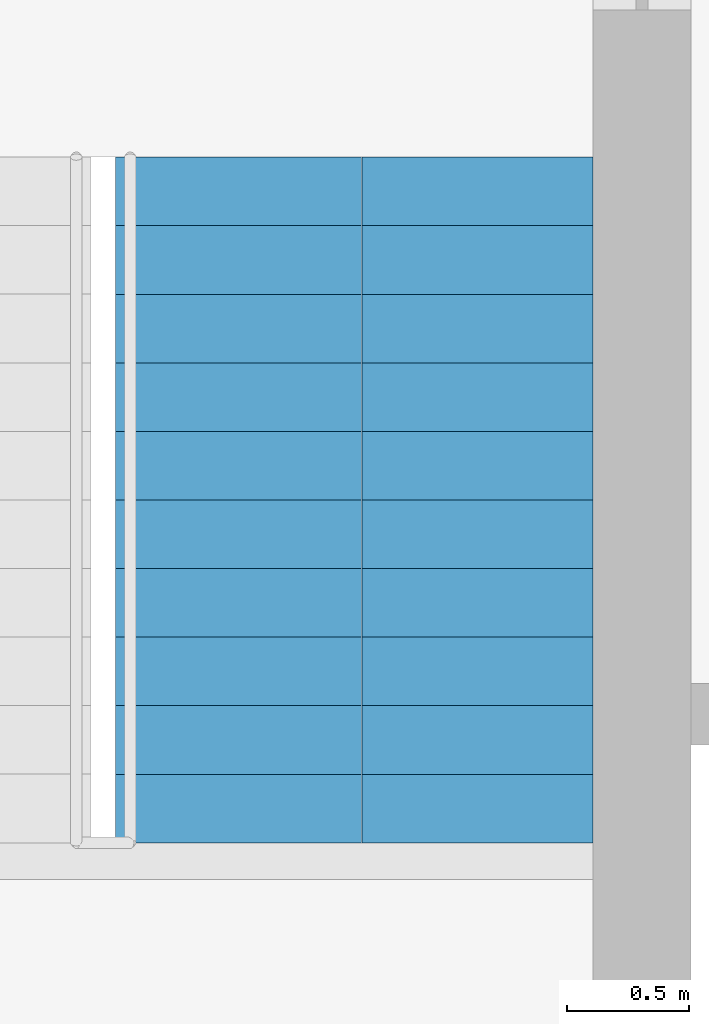
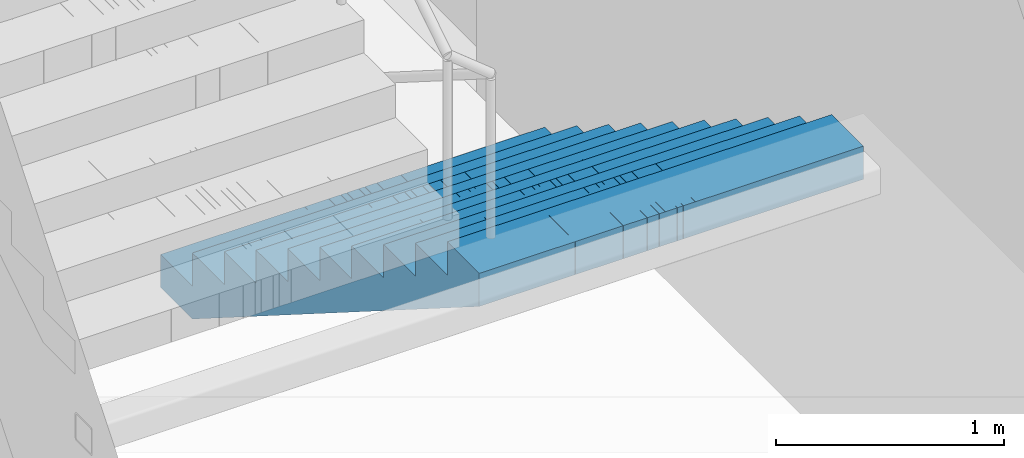
# One storey, part 19 of 20: 1 stair flight, 1 element without a shape of its own.
"""IFC4 building model written with IfcOpenShell, lengths in metres."""

from ifc_helpers import new_model, si_unit, direction, frame, origin, place, context, subcontext, project, spatial, polyline, outline, extrude, material, type_object, element, aggregate, save


model = new_model("IFC4")

# Units and contexts
model_context = context("Model", 3, precision=1e-05, world=origin(), true_north=direction((0.0, 1.0)))
body_context = subcontext(model_context, "Body", "Model", "MODEL_VIEW")
ifc_project = project(units=[si_unit("LENGTHUNIT", "METRE"), si_unit("AREAUNIT", "SQUARE_METRE"), si_unit("VOLUMEUNIT", "CUBIC_METRE"), si_unit("PLANEANGLEUNIT", "RADIAN"), si_unit("MASSUNIT", "GRAM", prefix="KILO")], contexts=[model_context])

# Site, building, storey
site_placement = place(None, origin())
site = spatial("IfcSite", under=ifc_project, at=site_placement, CompositionType="ELEMENT")
building_placement = place(site_placement, origin())
building = spatial("IfcBuilding", under=site, at=building_placement, Name="Mizan Broadcast Tower", CompositionType="ELEMENT")
storey_placement = place(building_placement, frame((0.0, 0.0, 143.699951171875)))
storey = spatial("IfcBuildingStorey", under=building, at=storey_placement, Name="L32", CompositionType="ELEMENT", Elevation=143.699951171875)

# Stair, stair flight
ifc_material_1 = material(Name="Concrete C40/50", Category="concrete")
stair_type = type_object("IfcStairType", Name="EXIT STAIR", PredefinedType="HALF_TURN_STAIR", material=ifc_material_1)
stair_placement = place(storey_placement, origin())
stair = element("IfcStair", 1, at=stair_placement, inside=storey, type_object=stair_type, Name="Stair B L32", PredefinedType="HALF_TURN_STAIR")
ifc_material_2 = material(Name="Concrete C40/50", Category="concrete")
stair_flight_type = type_object("IfcStairFlightType", Name="EXIT STAIR FLIGHT", PredefinedType="STRAIGHT", material=ifc_material_2)
stair_flight_placement = place(storey_placement, frame((1.02490234375, 7.89990234375, 0.0), z_axis=(0.0, 0.0, 1.0), x_axis=(0.0, -1.0, 0.0)))
stair_flight = element("IfcStairFlight", 2, at=stair_flight_placement, type_object=stair_flight_type, Name="B flight 1", NumberOfRisers=11, NumberOfTreads=10, PredefinedType="STRAIGHT", RiserHeight=0.177272727, TreadLength=0.28, context=body_context, shape_type="SweptSolid", body=[
    extrude(outline(polyline([(0.0, 0.0), (0.0, 0.17724609375), (0.280029296875, 0.17724609375), (0.280029296875, 0.3544921875), (0.56005859375, 0.3544921875), (0.56005859375, 0.53173828125), (0.840087890625, 0.53173828125), (0.840087890625, 0.708984375), (1.1201171875, 0.708984375), (1.1201171875, 0.886474609375), (1.39990234375, 0.886474609375), (1.39990234375, 1.063720703125), (1.679931640625, 1.063720703125), (1.679931640625, 1.240966796875), (1.9599609375, 1.240966796875), (1.9599609375, 1.418212890625), (2.239990234375, 1.418212890625), (2.239990234375, 1.595458984375), (2.52001953125, 1.595458984375), (2.52001953125, 1.772705078125), (2.800048828125, 1.772705078125), (2.800048828125, 1.949951171875), (2.800048828125, 1.59521484375), (0.2802734375, 0.0), (0.0, 0.0)])), frame((0.0, 0.97509765625, 0.0), z_axis=(0.0, -1.0, 0.0), x_axis=(1.0, 0.0, 0.0)), (0.0, 0.0, 1.0), 0.4873046875),
    extrude(outline(polyline([(0.0, 0.0), (0.0, 0.17724609375), (0.280029296875, 0.17724609375), (0.280029296875, 0.3544921875), (0.56005859375, 0.3544921875), (0.56005859375, 0.53173828125), (0.840087890625, 0.53173828125), (0.840087890625, 0.708984375), (1.1201171875, 0.708984375), (1.1201171875, 0.886474609375), (1.39990234375, 0.886474609375), (1.39990234375, 1.063720703125), (1.679931640625, 1.063720703125), (1.679931640625, 1.240966796875), (1.9599609375, 1.240966796875), (1.9599609375, 1.418212890625), (2.239990234375, 1.418212890625), (2.239990234375, 1.595458984375), (2.52001953125, 1.595458984375), (2.52001953125, 1.772705078125), (2.800048828125, 1.772705078125), (2.800048828125, 1.949951171875), (2.800048828125, 1.59521484375), (0.2802734375, 0.0), (0.0, 0.0)])), frame((0.0, 0.4873046875, 0.0), z_axis=(0.0, -1.0, 0.0), x_axis=(1.0, 0.0, 0.0)), (0.0, 0.0, 1.0), 0.2431640625),
    extrude(outline(polyline([(0.0, 0.0), (0.0, 0.17724609375), (0.280029296875, 0.17724609375), (0.280029296875, 0.3544921875), (0.56005859375, 0.3544921875), (0.56005859375, 0.53173828125), (0.840087890625, 0.53173828125), (0.840087890625, 0.708984375), (1.1201171875, 0.708984375), (1.1201171875, 0.886474609375), (1.39990234375, 0.886474609375), (1.39990234375, 1.063720703125), (1.679931640625, 1.063720703125), (1.679931640625, 1.240966796875), (1.9599609375, 1.240966796875), (1.9599609375, 1.418212890625), (2.239990234375, 1.418212890625), (2.239990234375, 1.595458984375), (2.52001953125, 1.595458984375), (2.52001953125, 1.772705078125), (2.800048828125, 1.772705078125), (2.800048828125, 1.949951171875), (2.800048828125, 1.59521484375), (0.2802734375, 0.0), (0.0, 0.0)])), frame((0.0, 0.24365234375, 0.0), z_axis=(0.0, -1.0, 0.0), x_axis=(1.0, 0.0, 0.0)), (0.0, 0.0, 1.0), 0.121337890625),
    extrude(outline(polyline([(0.0, 0.0), (0.0, 0.17724609375), (0.280029296875, 0.17724609375), (0.280029296875, 0.3544921875), (0.56005859375, 0.3544921875), (0.56005859375, 0.53173828125), (0.840087890625, 0.53173828125), (0.840087890625, 0.708984375), (1.1201171875, 0.708984375), (1.1201171875, 0.886474609375), (1.39990234375, 0.886474609375), (1.39990234375, 1.063720703125), (1.679931640625, 1.063720703125), (1.679931640625, 1.240966796875), (1.9599609375, 1.240966796875), (1.9599609375, 1.418212890625), (2.239990234375, 1.418212890625), (2.239990234375, 1.595458984375), (2.52001953125, 1.595458984375), (2.52001953125, 1.772705078125), (2.800048828125, 1.772705078125), (2.800048828125, 1.949951171875), (2.800048828125, 1.59521484375), (0.2802734375, 0.0), (0.0, 0.0)])), frame((0.0, 0.121826171875, 0.0), z_axis=(0.0, -1.0, 0.0), x_axis=(1.0, 0.0, 0.0)), (0.0, 0.0, 1.0), 0.060546875),
    extrude(outline(polyline([(0.0, 0.0), (0.0, 0.17724609375), (0.280029296875, 0.17724609375), (0.280029296875, 0.3544921875), (0.56005859375, 0.3544921875), (0.56005859375, 0.53173828125), (0.840087890625, 0.53173828125), (0.840087890625, 0.708984375), (1.1201171875, 0.708984375), (1.1201171875, 0.886474609375), (1.39990234375, 0.886474609375), (1.39990234375, 1.063720703125), (1.679931640625, 1.063720703125), (1.679931640625, 1.240966796875), (1.9599609375, 1.240966796875), (1.9599609375, 1.418212890625), (2.239990234375, 1.418212890625), (2.239990234375, 1.595458984375), (2.52001953125, 1.595458984375), (2.52001953125, 1.772705078125), (2.800048828125, 1.772705078125), (2.800048828125, 1.949951171875), (2.800048828125, 1.59521484375), (0.2802734375, 0.0), (0.0, 0.0)])), frame((0.0, 0.060791015625, 0.0), z_axis=(0.0, -1.0, 0.0), x_axis=(1.0, 0.0, 0.0)), (0.0, 0.0, 1.0), 0.030029296875),
    extrude(outline(polyline([(0.0, 0.0), (0.0, 0.17724609375), (0.280029296875, 0.17724609375), (0.280029296875, 0.3544921875), (0.56005859375, 0.3544921875), (0.56005859375, 0.53173828125), (0.840087890625, 0.53173828125), (0.840087890625, 0.708984375), (1.1201171875, 0.708984375), (1.1201171875, 0.886474609375), (1.39990234375, 0.886474609375), (1.39990234375, 1.063720703125), (1.679931640625, 1.063720703125), (1.679931640625, 1.240966796875), (1.9599609375, 1.240966796875), (1.9599609375, 1.418212890625), (2.239990234375, 1.418212890625), (2.239990234375, 1.595458984375), (2.52001953125, 1.595458984375), (2.52001953125, 1.772705078125), (2.800048828125, 1.772705078125), (2.800048828125, 1.949951171875), (2.800048828125, 1.59521484375), (0.2802734375, 0.0), (0.0, 0.0)])), frame((0.0, 0.0302734375, 0.0), z_axis=(0.0, -1.0, 0.0), x_axis=(1.0, 0.0, 0.0)), (0.0, 0.0, 1.0), 0.060302734375),
    extrude(outline(polyline([(0.0, 0.0), (0.0, 0.17724609375), (0.280029296875, 0.17724609375), (0.280029296875, 0.3544921875), (0.56005859375, 0.3544921875), (0.56005859375, 0.53173828125), (0.840087890625, 0.53173828125), (0.840087890625, 0.708984375), (1.1201171875, 0.708984375), (1.1201171875, 0.886474609375), (1.39990234375, 0.886474609375), (1.39990234375, 1.063720703125), (1.679931640625, 1.063720703125), (1.679931640625, 1.240966796875), (1.9599609375, 1.240966796875), (1.9599609375, 1.418212890625), (2.239990234375, 1.418212890625), (2.239990234375, 1.595458984375), (2.52001953125, 1.595458984375), (2.52001953125, 1.772705078125), (2.800048828125, 1.772705078125), (2.800048828125, 1.949951171875), (2.800048828125, 1.59521484375), (0.2802734375, 0.0), (0.0, 0.0)])), frame((0.0, -0.030517578125, 0.0), z_axis=(0.0, -1.0, 0.0), x_axis=(1.0, 0.0, 0.0)), (0.0, 0.0, 1.0), 0.030029296875),
    extrude(outline(polyline([(0.0, 0.0), (0.0, 0.17724609375), (0.280029296875, 0.17724609375), (0.280029296875, 0.3544921875), (0.56005859375, 0.3544921875), (0.56005859375, 0.53173828125), (0.840087890625, 0.53173828125), (0.840087890625, 0.708984375), (1.1201171875, 0.708984375), (1.1201171875, 0.886474609375), (1.39990234375, 0.886474609375), (1.39990234375, 1.063720703125), (1.679931640625, 1.063720703125), (1.679931640625, 1.240966796875), (1.9599609375, 1.240966796875), (1.9599609375, 1.418212890625), (2.239990234375, 1.418212890625), (2.239990234375, 1.595458984375), (2.52001953125, 1.595458984375), (2.52001953125, 1.772705078125), (2.800048828125, 1.772705078125), (2.800048828125, 1.949951171875), (2.800048828125, 1.59521484375), (0.2802734375, 0.0), (0.0, 0.0)])), frame((0.0, -0.06103515625, 0.0), z_axis=(0.0, -1.0, 0.0), x_axis=(1.0, 0.0, 0.0)), (0.0, 0.0, 1.0), 0.060546875),
    extrude(outline(polyline([(0.0, 0.0), (0.0, 0.17724609375), (0.280029296875, 0.17724609375), (0.280029296875, 0.3544921875), (0.56005859375, 0.3544921875), (0.56005859375, 0.53173828125), (0.840087890625, 0.53173828125), (0.840087890625, 0.708984375), (1.1201171875, 0.708984375), (1.1201171875, 0.886474609375), (1.39990234375, 0.886474609375), (1.39990234375, 1.063720703125), (1.679931640625, 1.063720703125), (1.679931640625, 1.240966796875), (1.9599609375, 1.240966796875), (1.9599609375, 1.418212890625), (2.239990234375, 1.418212890625), (2.239990234375, 1.595458984375), (2.52001953125, 1.595458984375), (2.52001953125, 1.772705078125), (2.800048828125, 1.772705078125), (2.800048828125, 1.949951171875), (2.800048828125, 1.59521484375), (0.2802734375, 0.0), (0.0, 0.0)])), frame((0.0, -0.1220703125, 0.0), z_axis=(0.0, -1.0, 0.0), x_axis=(1.0, 0.0, 0.0)), (0.0, 0.0, 1.0), 0.121337890625),
    extrude(outline(polyline([(0.0, 0.0), (0.0, 0.17724609375), (0.280029296875, 0.17724609375), (0.280029296875, 0.3544921875), (0.56005859375, 0.3544921875), (0.56005859375, 0.53173828125), (0.840087890625, 0.53173828125), (0.840087890625, 0.708984375), (1.1201171875, 0.708984375), (1.1201171875, 0.886474609375), (1.39990234375, 0.886474609375), (1.39990234375, 1.063720703125), (1.679931640625, 1.063720703125), (1.679931640625, 1.240966796875), (1.9599609375, 1.240966796875), (1.9599609375, 1.418212890625), (2.239990234375, 1.418212890625), (2.239990234375, 1.595458984375), (2.52001953125, 1.595458984375), (2.52001953125, 1.772705078125), (2.800048828125, 1.772705078125), (2.800048828125, 1.949951171875), (2.800048828125, 1.59521484375), (0.2802734375, 0.0), (0.0, 0.0)])), frame((0.0, -0.243896484375, 0.0), z_axis=(0.0, -1.0, 0.0), x_axis=(1.0, 0.0, 0.0)), (0.0, 0.0, 1.0), 0.2431640625),
    extrude(outline(polyline([(0.0, 0.0), (0.0, 0.17724609375), (0.280029296875, 0.17724609375), (0.280029296875, 0.3544921875), (0.56005859375, 0.3544921875), (0.56005859375, 0.53173828125), (0.840087890625, 0.53173828125), (0.840087890625, 0.708984375), (1.1201171875, 0.708984375), (1.1201171875, 0.886474609375), (1.39990234375, 0.886474609375), (1.39990234375, 1.063720703125), (1.679931640625, 1.063720703125), (1.679931640625, 1.240966796875), (1.9599609375, 1.240966796875), (1.9599609375, 1.418212890625), (2.239990234375, 1.418212890625), (2.239990234375, 1.595458984375), (2.52001953125, 1.595458984375), (2.52001953125, 1.772705078125), (2.800048828125, 1.772705078125), (2.800048828125, 1.949951171875), (2.800048828125, 1.59521484375), (0.2802734375, 0.0), (0.0, 0.0)])), frame((0.0, -0.487548828125, 0.0), z_axis=(0.0, -1.0, 0.0), x_axis=(1.0, 0.0, 0.0)), (0.0, 0.0, 1.0), 0.4873046875),
])
aggregate(stair, [stair_flight])

save(model, "model.ifc")
